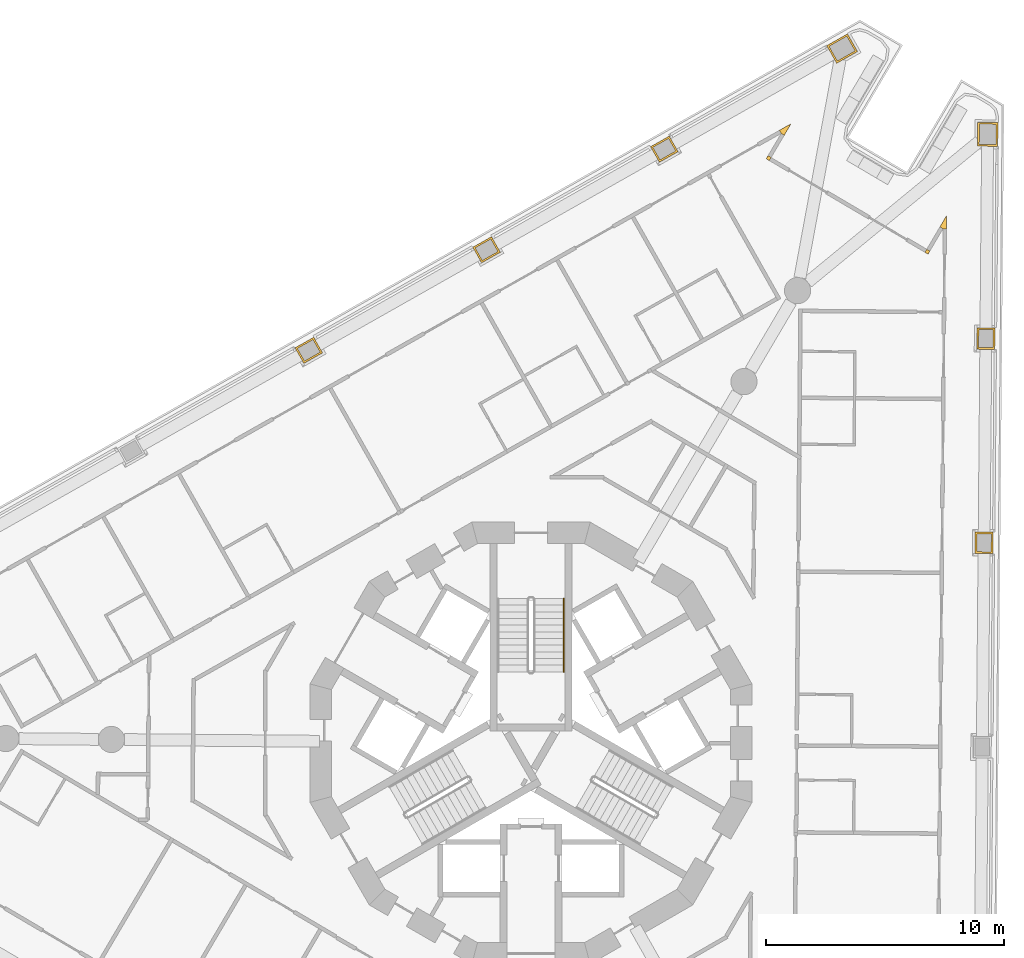
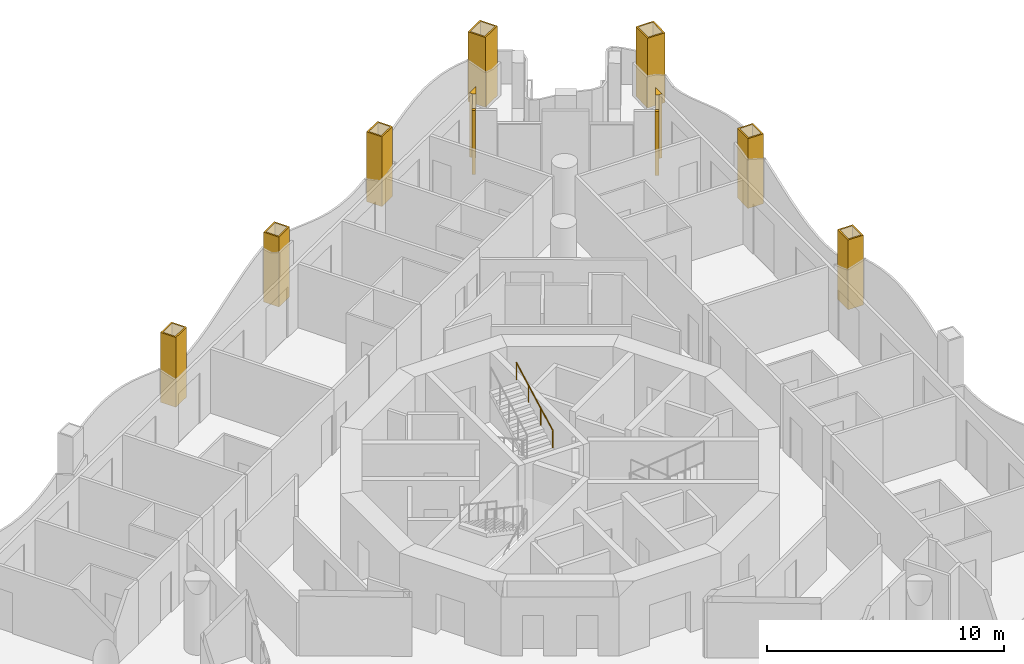
# One storey, part 16 of 17: 11 coverings, 1 railing.
"""IFC4 building model written with IfcOpenShell, lengths in metres."""

from ifc_helpers import new_model, si_unit, direction, frame, origin, origin_2d, place, context, subcontext, project, spatial, polyline, circle, outline, extrude, material, layer, layer_set, type_object, element, save


model = new_model("IFC4")

# Units and contexts
model_context = context("Model", 3, precision=1e-05, world=origin(), true_north=direction((0.0, 1.0)))
body_context = subcontext(model_context, "Body", "Model", "MODEL_VIEW")
ifc_project = project(units=[si_unit("LENGTHUNIT", "METRE"), si_unit("AREAUNIT", "SQUARE_METRE"), si_unit("VOLUMEUNIT", "CUBIC_METRE"), si_unit("PLANEANGLEUNIT", "RADIAN"), si_unit("MASSUNIT", "GRAM", prefix="KILO")], contexts=[model_context])

# Site, building, storey
site_placement = place(None, origin())
site = spatial("IfcSite", under=ifc_project, at=site_placement, CompositionType="ELEMENT")
building_placement = place(site_placement, origin())
building = spatial("IfcBuilding", under=site, at=building_placement, Name="Trine Commons Tower", CompositionType="ELEMENT")
storey_placement = place(building_placement, frame((0.0, 0.0, 182.699951171875)))
storey = spatial("IfcBuildingStorey", under=building, at=storey_placement, Name="L47", CompositionType="ELEMENT", Elevation=182.699951171875)

# Coverings
ifc_material_1 = material(Name="Aluminium-framed insulated wall panel", Category="aluminium")
ifc_layer_1 = layer(ifc_material_1, 0.14990234375)
ifc_layer_set_1 = layer_set([ifc_layer_1], Name="Aluminium-framed insulated wall panel")
covering_type_1 = type_object("IfcCoveringType", Name="Glazing corner post, aluminium", PredefinedType="CLADDING", material=ifc_layer_set_1)
covering_1_placement = place(storey_placement, origin())
element("IfcCovering", 1, at=covering_1_placement, inside=storey, type_object=covering_type_1, Name="Glazing corner post 5-05", PredefinedType="CLADDING", context=body_context, shape_type="SweptSolid", body=[
    extrude(outline(polyline([(90.626220703125, 88.007080078125), (90.910400390625, 88.489501953125), (90.423095703125, 88.213623046875), (90.496826171875, 88.083251953125), (90.626220703125, 88.007080078125)])), origin(), (0.0, 0.0, 1.0), 3.300048828125),
])
covering_2_placement = place(storey_placement, origin())
element("IfcCovering", 2, at=covering_2_placement, inside=storey, type_object=covering_type_1, Name="Glazing corner post 5-06", PredefinedType="CLADDING", context=body_context, shape_type="SweptSolid", body=[
    extrude(outline(polyline([(89.9990234375, 86.9423828125), (90.0751953125, 87.071533203125), (89.94580078125, 87.147705078125), (89.86962890625, 87.018310546875), (89.9990234375, 86.9423828125)])), origin(), (0.0, 0.0, 1.0), 3.300048828125),
])
covering_3_placement = place(storey_placement, origin())
element("IfcCovering", 3, at=covering_3_placement, inside=storey, type_object=covering_type_1, Name="Glazing corner post 5-07", PredefinedType="CLADDING", context=body_context, shape_type="SweptSolid", body=[
    extrude(outline(polyline([(96.530029296875, 83.09521484375), (96.659423828125, 83.01904296875), (96.735595703125, 83.148193359375), (96.606201171875, 83.224365234375), (96.530029296875, 83.09521484375)])), origin(), (0.0, 0.0, 1.0), 3.300048828125),
])
covering_4_placement = place(storey_placement, origin())
element("IfcCovering", 4, at=covering_4_placement, inside=storey, type_object=covering_type_1, Name="Glazing corner post 5-08", PredefinedType="CLADDING", context=body_context, shape_type="SweptSolid", body=[
    extrude(outline(polyline([(97.4365234375, 84.08251953125), (97.44140625, 84.64208984375), (97.1572265625, 84.159912109375), (97.28662109375, 84.083740234375), (97.4365234375, 84.08251953125)])), origin(), (0.0, 0.0, 1.0), 3.300048828125),
])
ifc_material_2 = material(Name="Limestone, honed", Category="masonry")
ifc_layer_2 = layer(ifc_material_2, 0.074951171875)
ifc_layer_set_2 = layer_set([ifc_layer_2], Name="Limestone, honed")
covering_type_2 = type_object("IfcCoveringType", Name="Limestone column cladding 75", PredefinedType="CLADDING", material=ifc_layer_set_2)
covering_5_placement = place(storey_placement, origin())
element("IfcCovering", 5, at=covering_5_placement, inside=storey, type_object=covering_type_2, Name="Limestone pier cladding 5-11", PredefinedType="CLADDING", context=body_context, shape_type="SweptSolid", body=[
    extrude(outline(polyline([(71.2509765625, 78.877685546875), (70.881591796875, 79.530517578125), (70.098388671875, 79.087158203125), (70.4677734375, 78.434326171875), (71.2509765625, 78.877685546875)]), holes=[polyline([(71.148681640625, 78.906005859375), (70.853515625, 79.42822265625), (70.20068359375, 79.058837890625), (70.49609375, 78.53662109375), (71.148681640625, 78.906005859375)])]), origin(), (0.0, 0.0, 1.0), 3.60009765625),
])
covering_6_placement = place(storey_placement, origin())
element("IfcCovering", 6, at=covering_6_placement, inside=storey, type_object=covering_type_2, Name="Limestone pier cladding 5-12", PredefinedType="CLADDING", context=body_context, shape_type="SweptSolid", body=[
    extrude(outline(polyline([(78.71044921875, 83.097900390625), (78.34130859375, 83.750732421875), (77.557861328125, 83.3076171875), (77.92724609375, 82.65478515625), (78.71044921875, 83.097900390625)]), holes=[polyline([(78.6083984375, 83.12646484375), (78.31298828125, 83.648681640625), (77.66015625, 83.279296875), (77.95556640625, 82.757080078125), (78.6083984375, 83.12646484375)])]), origin(), (0.0, 0.0, 1.0), 3.60009765625),
])
covering_7_placement = place(storey_placement, origin())
element("IfcCovering", 7, at=covering_7_placement, inside=storey, type_object=covering_type_2, Name="Limestone pier cladding 5-13", PredefinedType="CLADDING", context=body_context, shape_type="SweptSolid", body=[
    extrude(outline(polyline([(86.169921875, 87.318359375), (85.80078125, 87.97119140625), (85.017333984375, 87.52783203125), (85.38671875, 86.875), (86.169921875, 87.318359375)]), holes=[polyline([(86.06787109375, 87.3466796875), (85.7724609375, 87.868896484375), (85.11962890625, 87.49951171875), (85.4150390625, 86.977294921875), (86.06787109375, 87.3466796875)])]), origin(), (0.0, 0.0, 1.0), 3.60009765625),
])
covering_8_placement = place(storey_placement, origin())
element("IfcCovering", 8, at=covering_8_placement, inside=storey, type_object=covering_type_2, Name="Limestone pier cladding 5-14", PredefinedType="CLADDING", context=body_context, shape_type="SweptSolid", body=[
    extrude(outline(polyline([(93.697509765625, 91.519775390625), (93.279052734375, 92.259521484375), (92.40869140625, 91.76708984375), (92.8271484375, 91.02734375), (93.697509765625, 91.519775390625)]), holes=[polyline([(93.59521484375, 91.548095703125), (93.250732421875, 92.157470703125), (92.510986328125, 91.73876953125), (92.85546875, 91.129638671875), (93.59521484375, 91.548095703125)])]), origin(), (0.0, 0.0, 1.0), 3.60009765625),
])
covering_9_placement = place(storey_placement, origin())
element("IfcCovering", 9, at=covering_9_placement, inside=storey, type_object=covering_type_2, Name="Limestone pier cladding 5-15", PredefinedType="CLADDING", context=body_context, shape_type="SweptSolid", body=[
    extrude(outline(polyline([(99.590576171875, 88.5419921875), (98.740478515625, 88.54931640625), (98.73193359375, 87.54931640625), (99.581787109375, 87.5419921875), (99.590576171875, 88.5419921875)]), holes=[polyline([(99.514892578125, 88.467529296875), (98.81494140625, 88.4736328125), (98.8076171875, 87.623779296875), (99.507568359375, 87.61767578125), (99.514892578125, 88.467529296875)])]), origin(), (0.0, 0.0, 1.0), 3.60009765625),
])
covering_10_placement = place(storey_placement, origin())
element("IfcCovering", 10, at=covering_10_placement, inside=storey, type_object=covering_type_2, Name="Limestone pier cladding 5-16", PredefinedType="CLADDING", context=body_context, shape_type="SweptSolid", body=[
    extrude(outline(polyline([(99.46533203125, 79.922119140625), (98.71533203125, 79.9287109375), (98.70751953125, 79.028564453125), (99.45751953125, 79.02197265625), (99.46533203125, 79.922119140625)]), holes=[polyline([(99.3896484375, 79.84765625), (98.789794921875, 79.852783203125), (98.783203125, 79.102783203125), (99.383056640625, 79.09765625), (99.3896484375, 79.84765625)])]), origin(), (0.0, 0.0, 1.0), 3.60009765625),
])
covering_11_placement = place(storey_placement, origin())
element("IfcCovering", 11, at=covering_11_placement, inside=storey, type_object=covering_type_2, Name="Limestone pier cladding 5-17", PredefinedType="CLADDING", context=body_context, shape_type="SweptSolid", body=[
    extrude(outline(polyline([(99.390380859375, 71.351806640625), (98.640380859375, 71.3583984375), (98.6328125, 70.458251953125), (99.3828125, 70.45166015625), (99.390380859375, 71.351806640625)]), holes=[polyline([(99.31494140625, 71.27734375), (98.71484375, 71.28271484375), (98.708251953125, 70.53271484375), (99.308349609375, 70.52734375), (99.31494140625, 71.27734375)])]), origin(), (0.0, 0.0, 1.0), 3.60009765625),
])

# Railing
ifc_material_3 = material(Name="Stainless steel handrail", Category="steel")
railing_type = type_object("IfcRailingType", Name="Stair handrail, steel 900", PredefinedType="HANDRAIL", material=ifc_material_3)
railing_placement = place(storey_placement, frame((81.375, 65.490478515625, 1.949951171875)))
element("IfcRailing", 12, at=railing_placement, inside=storey, type_object=railing_type, Name="L47 ST1B stair handrail 2", PredefinedType="HANDRAIL", context=body_context, shape_type="SweptSolid", body=[
    extrude(circle(Radius=0.02099609375, at=origin_2d()), frame((0.0, 0.0, 0.87890625), z_axis=(0.0, 0.881467505477, 0.472244678941), x_axis=(-1.0, 0.0, 0.0)), (0.0, 0.0, 1.0), 3.494140625),
    extrude(circle(Radius=0.01513671875, at=origin_2d()), origin(), (0.0, 0.0, 1.0), 0.85791015625),
    extrude(circle(Radius=0.01513671875, at=origin_2d()), frame((0.0, 1.026611328125, 0.550048828125)), (0.0, 0.0, 1.0), 0.85791015625),
    extrude(circle(Radius=0.01513671875, at=origin_2d()), frame((0.0, 2.053466796875, 1.10009765625)), (0.0, 0.0, 1.0), 0.85791015625),
    extrude(circle(Radius=0.01513671875, at=origin_2d()), frame((0.0, 3.080078125, 1.650146484375)), (0.0, 0.0, 1.0), 0.85791015625),
])

save(model, "model.ifc")
